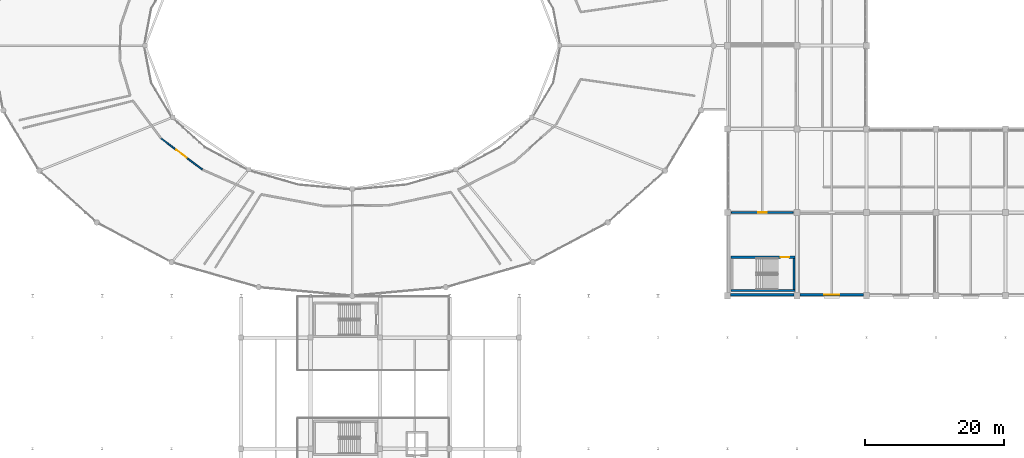
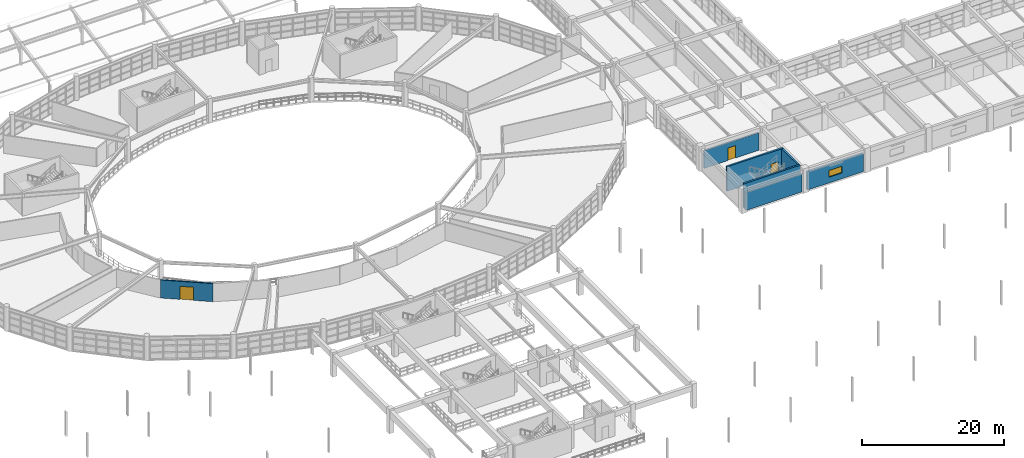
# One storey, part 77 of 100: 7 walls, 3 doors, 1 window, 4 openings.
"""IFC4 building model written with IfcOpenShell, lengths in metres."""

from ifc_helpers import new_model, si_unit, direction, frame, frame_2d, origin, place, context, subcontext, project, spatial, rectangle, extrude, material, layer, layer_set, type_object, element, fill, save


model = new_model("IFC4")

# Units and contexts
model_context = context("Model", 3, precision=1e-05, world=origin(), true_north=direction((0.0, 1.0)))
body_context = subcontext(model_context, "Body", "Model", "MODEL_VIEW")
ifc_project = project(units=[si_unit("LENGTHUNIT", "METRE"), si_unit("AREAUNIT", "SQUARE_METRE"), si_unit("VOLUMEUNIT", "CUBIC_METRE"), si_unit("PLANEANGLEUNIT", "RADIAN"), si_unit("MASSUNIT", "GRAM", prefix="KILO")], contexts=[model_context])

# Site, building, storey
site_placement = place(None, origin())
site = spatial("IfcSite", under=ifc_project, at=site_placement, CompositionType="ELEMENT")
building_placement = place(site_placement, origin())
building = spatial("IfcBuilding", under=site, at=building_placement, Name="Kivolera Central Railway Station", CompositionType="ELEMENT")
storey_placement = place(building_placement, frame((0.0, 0.0, 5.39990234375)))
storey = spatial("IfcBuildingStorey", under=building, at=storey_placement, Name="L01", CompositionType="ELEMENT", Elevation=5.39990234375)

# Wall, opening, door
ifc_material_1 = material(Name="Swahili coral limestone", Category="masonry")
ifc_layer_1 = layer(ifc_material_1, 0.199951171875, Name="Swahili coral limestone")
ifc_layer_set_1 = layer_set([ifc_layer_1], Name="Swahili coral limestone")
wall_type_1 = type_object("IfcWallType", Name="WL-COR-200", PredefinedType="PARTITIONING", material=ifc_layer_set_1)
wall_1_placement = place(storey_placement, frame((36.47607421875, 76.6640625, 0.0), z_axis=(0.0, 0.0, 1.0), x_axis=(0.798019104586, -0.602632150417, 0.0)))
wall_1 = element("IfcWall", 1, at=wall_1_placement, inside=storey, type_object=wall_type_1, Name="L01 West Lantern Espresso and Pastry Cafe Gallery Wall 2", PredefinedType="PARTITIONING", context=body_context, shape_type="SweptSolid", body=[
    extrude(rectangle(XDim=7.426025390625, YDim=0.199951171875, at=frame_2d((3.712890625, 0.0))), origin(), (0.0, 0.0, 1.0), 3.10009765625),
])
opening_1_placement = place(wall_1_placement, frame((2.762939453125, 0.0, 0.0)))
opening_1 = element("IfcOpeningElement", 2, at=opening_1_placement, cuts=wall_1, Name="Opening D-DB-05", PredefinedType="OPENING", context=body_context, shape_type="SweptSolid", body=[
    extrude(rectangle(XDim=1.89990234375, YDim=2.25, at=frame_2d((0.949951171875, 1.125))), frame((0.0, 0.10986328125, 0.0), z_axis=(0.0, -1.0, 0.0), x_axis=(1.0, 0.0, 0.0)), (0.0, 0.0, 1.0), 0.219970703125),
])
ifc_material_2 = material(Name="Anodised aluminium", Category="aluminium")
door_type_1 = type_object("IfcDoorType", Name="DR-D-DB-05", OperationType="NOTDEFINED", PredefinedType="DOOR", material=ifc_material_2)
door_1_placement = place(opening_1_placement, origin())
door_1 = element("IfcDoor", 3, at=door_1_placement, inside=storey, type_object=door_type_1, Name="L01 West Lantern Espresso and Pastry Cafe Door", OperationType="DOUBLE_DOOR_SINGLE_SWING", OverallHeight=2.25, OverallWidth=1.89990234375, PredefinedType="DOOR", context=body_context, shape_type="SweptSolid", body=[
    extrude(rectangle(XDim=1.89990234375, YDim=2.25, at=frame_2d((0.949951171875, 1.125))), frame((0.0, 0.02490234375, 0.0), z_axis=(0.0, -1.0, 0.0), x_axis=(1.0, 0.0, 0.0)), (0.0, 0.0, 1.0), 0.050048828125),
])
fill(opening_1, door_1)

# Wall
ifc_material_3 = material(Name="Concrete C40/50", Category="concrete")
ifc_layer_2 = layer(ifc_material_3, 0.300048828125, Name="Concrete C40/50")
ifc_layer_set_2 = layer_set([ifc_layer_2], Name="Concrete C40/50")
wall_type_2 = type_object("IfcWallType", Name="WL-CORE-300", PredefinedType="SHEAR", material=ifc_layer_set_2)
wall_2_placement = place(storey_placement, frame((127.699951171875, 54.75, 0.0), z_axis=(0.0, 0.0, 1.0), x_axis=(-1.0, 0.0, 0.0)))
element("IfcWall", 4, at=wall_2_placement, inside=storey, type_object=wall_type_2, Name="L01 ST4 Core Right Shear Wall", PredefinedType="SHEAR", context=body_context, shape_type="SweptSolid", body=[
    extrude(rectangle(XDim=9.199951171875, YDim=0.300048828125, at=frame_2d((4.60009765625, 0.0))), origin(), (0.0, 0.0, 1.0), 4.2001953125),
])

# Wall, opening, door
wall_3_placement = place(storey_placement, frame((118.5, 59.550048828125, 0.0), z_axis=(0.0, 0.0, 1.0), x_axis=(1.0, 0.0, 0.0)))
wall_3 = element("IfcWall", 5, at=wall_3_placement, inside=storey, type_object=wall_type_2, Name="L01 ST4 Core Left Shear Wall", PredefinedType="SHEAR", context=body_context, shape_type="SweptSolid", body=[
    extrude(rectangle(XDim=9.199951171875, YDim=0.300048828125, at=frame_2d((4.60009765625, 0.0))), origin(), (0.0, 0.0, 1.0), 4.2001953125),
])
opening_2_placement = place(wall_3_placement, frame((7.14990234375, 0.0, 0.0)))
opening_2 = element("IfcOpeningElement", 6, at=opening_2_placement, cuts=wall_3, Name="Opening D-STAIR-1200", PredefinedType="OPENING", context=body_context, shape_type="SweptSolid", body=[
    extrude(rectangle(XDim=1.199951171875, YDim=2.14990234375, at=frame_2d((0.60009765625, 1.074951171875))), frame((0.0, 0.159912109375, 0.0), z_axis=(0.0, -1.0, 0.0), x_axis=(1.0, 0.0, 0.0)), (0.0, 0.0, 1.0), 0.320068359375),
])
ifc_material_4 = material(Name="Hardwood mvule timber", Category="wood")
door_type_2 = type_object("IfcDoorType", Name="DR-D-STAIR-1200", OperationType="NOTDEFINED", PredefinedType="DOOR", material=ifc_material_4)
door_2_placement = place(opening_2_placement, origin())
door_2 = element("IfcDoor", 7, at=door_2_placement, inside=storey, type_object=door_type_2, Name="L01 ST4 Lobby Fire Door", OperationType="SINGLE_SWING_LEFT", OverallHeight=2.14990234375, OverallWidth=1.199951171875, PredefinedType="DOOR", context=body_context, shape_type="SweptSolid", body=[
    extrude(rectangle(XDim=1.199951171875, YDim=2.14990234375, at=frame_2d((0.60009765625, 1.074951171875))), frame((0.0, 0.02490234375, 0.0), z_axis=(0.0, -1.0, 0.0), x_axis=(1.0, 0.0, 0.0)), (0.0, 0.0, 1.0), 0.050048828125),
])
fill(opening_2, door_2)

# Walls
wall_4_placement = place(storey_placement, frame((127.550048828125, 59.39990234375, 0.0), z_axis=(0.0, 0.0, 1.0), x_axis=(0.0, -1.0, 0.0)))
element("IfcWall", 8, at=wall_4_placement, inside=storey, type_object=wall_type_2, Name="L01 ST4 Core Near Shear Wall", PredefinedType="SHEAR", context=body_context, shape_type="SweptSolid", body=[
    extrude(rectangle(XDim=4.5, YDim=0.300048828125, at=frame_2d((2.25, 0.0))), origin(), (0.0, 0.0, 1.0), 4.2001953125),
])
ifc_layer_3 = layer(ifc_material_1, 0.320068359375, Name="Swahili coral limestone")
ifc_layer_set_3 = layer_set([ifc_layer_3], Name="Swahili coral limestone")
wall_type_3 = type_object("IfcWallType", Name="WL-EXT-CORAL-320", PredefinedType="SOLIDWALL", material=ifc_layer_set_3)
wall_5_placement = place(storey_placement, frame((127.554931640625, 54.159912109375, 0.0), z_axis=(0.0, 0.0, 1.0), x_axis=(-1.0, 0.0, 0.0)))
element("IfcWall", 9, at=wall_5_placement, inside=storey, type_object=wall_type_3, Name="L01 South Facade Wall 118-128", PredefinedType="SOLIDWALL", context=body_context, shape_type="SweptSolid", body=[
    extrude(rectangle(XDim=9.10986328125, YDim=0.320068359375, at=frame_2d((4.554931640625, 0.0))), origin(), (0.0, 0.0, 1.0), 3.1181640625),
])

# Wall, opening, window
wall_6_placement = place(storey_placement, frame((137.554931640625, 54.159912109375, 0.0), z_axis=(0.0, 0.0, 1.0), x_axis=(-1.0, 0.0, 0.0)))
wall_6 = element("IfcWall", 10, at=wall_6_placement, inside=storey, type_object=wall_type_3, Name="L01 South Facade Wall 128-138", PredefinedType="SOLIDWALL", context=body_context, shape_type="SweptSolid", body=[
    extrude(rectangle(XDim=9.10986328125, YDim=0.320068359375, at=frame_2d((4.554931640625, 0.0))), origin(), (0.0, 0.0, 1.0), 3.1181640625),
])
opening_3_placement = place(wall_6_placement, frame((3.5048828125, 0.0, 1.0)))
opening_3 = element("IfcOpeningElement", 11, at=opening_3_placement, cuts=wall_6, Name="Opening WN-07", PredefinedType="OPENING", context=body_context, shape_type="SweptSolid", body=[
    extrude(rectangle(XDim=2.10009765625, YDim=1.14990234375, at=frame_2d((1.050048828125, 0.574951171875))), frame((0.0, 0.169921875, 0.0), z_axis=(0.0, -1.0, 0.0), x_axis=(1.0, 0.0, 0.0)), (0.0, 0.0, 1.0), 0.340087890625),
])
ifc_material_5 = material(Name="Double low-E laminated glass", Category="glass")
window_type = type_object("IfcWindowType", Name="WIN-WN-07", PartitioningType="SINGLE_PANEL", PredefinedType="WINDOW", material=ifc_material_5)
window_placement = place(opening_3_placement, origin())
window = element("IfcWindow", 12, at=window_placement, inside=storey, type_object=window_type, Name="L01 South Facade Window 128", OverallHeight=1.14990234375, OverallWidth=2.10009765625, PartitioningType="SINGLE_PANEL", PredefinedType="WINDOW", context=body_context, shape_type="SweptSolid", body=[
    extrude(rectangle(XDim=2.10009765625, YDim=1.14990234375, at=frame_2d((1.050048828125, 0.574951171875))), frame((0.0, 0.030029296875, 0.0), z_axis=(0.0, -1.0, 0.0), x_axis=(1.0, 0.0, 0.0)), (0.0, 0.0, 1.0), 0.06005859375),
])
fill(opening_3, window)

# Wall, opening, door
ifc_layer_4 = layer(ifc_material_3, 0.25, Name="Concrete C40/50")
ifc_layer_set_4 = layer_set([ifc_layer_4], Name="Concrete C40/50")
wall_type_4 = type_object("IfcWallType", Name="WL-FFL-250", PredefinedType="PARTITIONING", material=ifc_layer_set_4)
wall_7_placement = place(storey_placement, frame((118.550048828125, 66.0, 0.0), z_axis=(0.0, 0.0, 1.0), x_axis=(1.0, 0.0, 0.0)))
wall_7 = element("IfcWall", 13, at=wall_7_placement, inside=storey, type_object=wall_type_4, Name="L01 ST4 Lobby Wall", PredefinedType="PARTITIONING", context=body_context, shape_type="SweptSolid", body=[
    extrude(rectangle(XDim=8.89990234375, YDim=0.25, at=frame_2d((4.449951171875, 0.0))), origin(), (0.0, 0.0, 1.0), 3.01806640625),
])
opening_4_placement = place(wall_7_placement, frame((3.85009765625, 0.0, 0.0)))
opening_4 = element("IfcOpeningElement", 14, at=opening_4_placement, cuts=wall_7, Name="Opening D-FFL-1250", PredefinedType="OPENING", context=body_context, shape_type="SweptSolid", body=[
    extrude(rectangle(XDim=1.25, YDim=2.14990234375, at=frame_2d((0.625, 1.074951171875))), frame((0.0, 0.135009765625, 0.0), z_axis=(0.0, -1.0, 0.0), x_axis=(1.0, 0.0, 0.0)), (0.0, 0.0, 1.0), 0.27001953125),
])
door_type_3 = type_object("IfcDoorType", Name="DR-D-FFL-1250", OperationType="NOTDEFINED", PredefinedType="DOOR", material=ifc_material_4)
door_3_placement = place(opening_4_placement, origin())
door_3 = element("IfcDoor", 15, at=door_3_placement, inside=storey, type_object=door_type_3, Name="L01 ST4 Lobby Corridor Door", OperationType="SINGLE_SWING_RIGHT", OverallHeight=2.14990234375, OverallWidth=1.25, PredefinedType="DOOR", context=body_context, shape_type="SweptSolid", body=[
    extrude(rectangle(XDim=1.25, YDim=2.14990234375, at=frame_2d((0.625, 1.074951171875))), frame((0.0, 0.02490234375, 0.0), z_axis=(0.0, -1.0, 0.0), x_axis=(1.0, 0.0, 0.0)), (0.0, 0.0, 1.0), 0.050048828125),
])
fill(opening_4, door_3)

save(model, "model.ifc")
